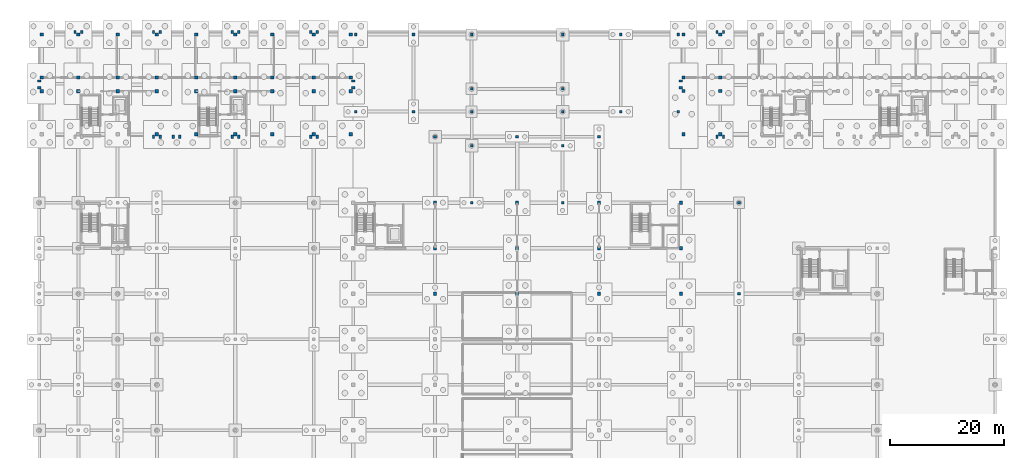
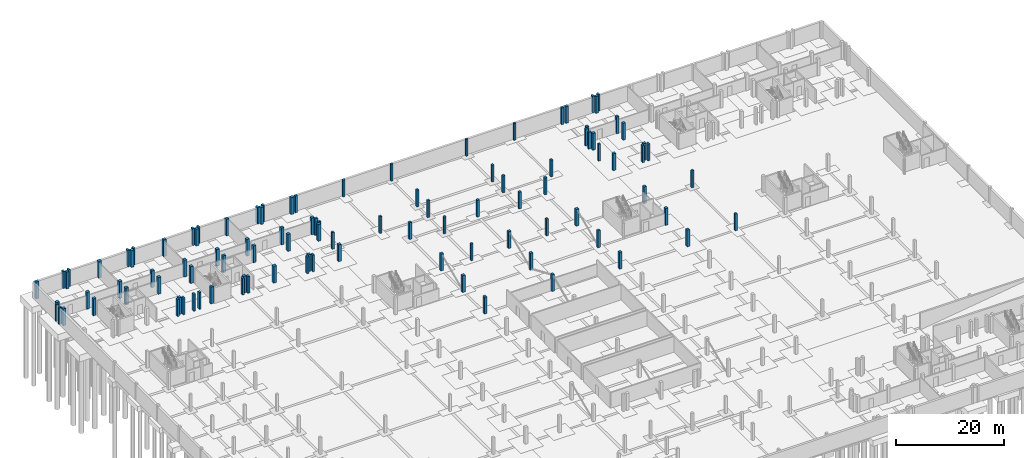
# One storey, part 13 of 38: 102 columns.
"""IFC4 building model written with IfcOpenShell, lengths in metres."""

from ifc_helpers import new_model, si_unit, direction, frame, origin, origin_2d, place, context, subcontext, project, spatial, rectangle, extrude, material, material_profile, profile_set, type_object, element, save


model = new_model("IFC4")

# Units and contexts
model_context = context("Model", 3, precision=1e-05, world=origin(), true_north=direction((0.0, 1.0)))
body_context = subcontext(model_context, "Body", "Model", "MODEL_VIEW")
ifc_project = project(units=[si_unit("LENGTHUNIT", "METRE"), si_unit("AREAUNIT", "SQUARE_METRE"), si_unit("VOLUMEUNIT", "CUBIC_METRE"), si_unit("PLANEANGLEUNIT", "RADIAN"), si_unit("MASSUNIT", "GRAM", prefix="KILO")], contexts=[model_context])

# Site, building, storey
site_placement = place(None, origin())
site = spatial("IfcSite", under=ifc_project, at=site_placement, CompositionType="ELEMENT")
building_placement = place(site_placement, origin())
building = spatial("IfcBuilding", under=site, at=building_placement, Name="Zavelmont Quarter", CompositionType="ELEMENT")
storey_placement = place(building_placement, frame((0.0, 0.0, -3.800048828125)))
storey = spatial("IfcBuildingStorey", under=building, at=storey_placement, Name="B01", CompositionType="ELEMENT", Elevation=-3.800048828125)

# Columns
ifc_material_1 = material(Name="Concrete C40/50", Category="concrete")
ifc_material_profile_1 = material_profile(ifc_material_1, rectangle(XDim=0.60009765625, YDim=0.60009765625, at=origin_2d()), Name="RC600X600")
ifc_profile_set_1 = profile_set([ifc_material_profile_1], Name="Concrete C40/50")
column_type_1 = type_object("IfcColumnType", Name="CL01", PredefinedType="COLUMN", material=ifc_profile_set_1)
for number, where, z_axis, x_axis, name in (
    (1, (0.43994140625, 105.60009765625, 0.0), (0.0, 0.0, 1.0), (1.0, 0.0, 0.0), "B01 column CL01 at 1/Q"),
    (2, (0.43994140625, 108.0, 0.0), (0.0, 0.0, 1.0), (1.0, 0.0, 0.0), "B01 column CL01 at 1/R"),
    (3, (0.43994140625, 115.56005859375, 0.0), (0.0, 0.0, 1.0), (1.0, 0.0, 0.0), "B01 column CL01 at 1/S"),
    (4, (6.89990234375, 105.60009765625, 0.0), (0.0, 0.0, 1.0), (1.0, 0.0, 0.0), "B01 column CL01 at 2/Q"),
    (5, (6.89990234375, 108.0, 0.0), (0.0, 0.0, 1.0), (1.0, 0.0, 0.0), "B01 column CL01 at 2/R"),
    (6, (6.89990234375, 115.56005859375, 0.0), (0.0, 0.0, 1.0), (1.0, 0.0, 0.0), "B01 column CL01 at 2/S"),
    (7, (13.800048828125, 105.60009765625, 0.0), (0.0, 0.0, 1.0), (1.0, 0.0, 0.0), "B01 column CL01 at 3/Q"),
    (8, (13.800048828125, 108.0, 0.0), (0.0, 0.0, 1.0), (1.0, 0.0, 0.0), "B01 column CL01 at 3/R"),
    (9, (13.800048828125, 115.56005859375, 0.0), (0.0, 0.0, 1.0), (1.0, 0.0, 0.0), "B01 column CL01 at 3/S"),
    (10, (20.699951171875, 98.0400390625, 0.0), (0.0, 0.0, 1.0), (1.0, 0.0, 0.0), "B01 column CL01 at 4/P"),
    (11, (20.699951171875, 105.60009765625, 0.0), (0.0, 0.0, 1.0), (1.0, 0.0, 0.0), "B01 column CL01 at 4/Q"),
    (12, (20.699951171875, 108.0, 0.0), (0.0, 0.0, 1.0), (1.0, 0.0, 0.0), "B01 column CL01 at 4/R"),
    (13, (20.699951171875, 115.56005859375, 0.0), (0.0, 0.0, 1.0), (1.0, 0.0, 0.0), "B01 column CL01 at 4/S"),
    (14, (27.60009765625, 98.0400390625, 0.0), (0.0, 0.0, 1.0), (1.0, 0.0, 0.0), "B01 column CL01 at 5/P"),
    (15, (27.60009765625, 105.60009765625, 0.0), (0.0, 0.0, 1.0), (1.0, 0.0, 0.0), "B01 column CL01 at 5/Q"),
    (16, (27.60009765625, 108.0, 0.0), (0.0, 0.0, 1.0), (1.0, 0.0, 0.0), "B01 column CL01 at 5/R"),
    (17, (27.60009765625, 115.56005859375, 0.0), (0.0, 0.0, 1.0), (1.0, 0.0, 0.0), "B01 column CL01 at 5/S"),
    (18, (34.5, 98.0400390625, 0.0), (0.0, 0.0, 1.0), (1.0, 0.0, 0.0), "B01 column CL01 at 6/P"),
    (19, (34.5, 105.60009765625, 0.0), (0.0, 0.0, 1.0), (1.0, 0.0, 0.0), "B01 column CL01 at 6/Q"),
    (20, (34.5, 108.0, 0.0), (0.0, 0.0, 1.0), (1.0, 0.0, 0.0), "B01 column CL01 at 6/R"),
    (21, (34.5, 115.56005859375, 0.0), (0.0, 0.0, 1.0), (1.0, 0.0, 0.0), "B01 column CL01 at 6/S"),
    (22, (40.9599609375, 98.0400390625, 0.0), (0.0, 0.0, 1.0), (1.0, 0.0, 0.0), "B01 column CL01 at 7/P"),
    (23, (40.9599609375, 105.60009765625, 0.0), (0.0, 0.0, 1.0), (1.0, 0.0, 0.0), "B01 column CL01 at 7/Q"),
    (24, (40.9599609375, 108.0, 0.0), (0.0, 0.0, 1.0), (1.0, 0.0, 0.0), "B01 column CL01 at 7/R"),
    (25, (40.9599609375, 115.56005859375, 0.0), (0.0, 0.0, 1.0), (1.0, 0.0, 0.0), "B01 column CL01 at 7/S"),
    (26, (48.300048828125, 98.0400390625, 0.0), (0.0, 0.0, 1.0), (1.0, 0.0, 0.0), "B01 column CL01 at 8/P"),
    (27, (48.300048828125, 105.60009765625, 0.0), (0.0, 0.0, 1.0), (1.0, 0.0, 0.0), "B01 column CL01 at 8/Q"),
    (28, (48.300048828125, 108.0, 0.0), (0.0, 0.0, 1.0), (1.0, 0.0, 0.0), "B01 column CL01 at 8/R"),
    (29, (48.300048828125, 115.56005859375, 0.0), (0.0, 0.0, 1.0), (1.0, 0.0, 0.0), "B01 column CL01 at 8/S"),
    (30, (54.760009765625, 98.0400390625, 0.0), (0.0, 0.0, 1.0), (1.0, 0.0, 0.0), "B01 column CL01 at 9/P"),
    (31, (54.760009765625, 105.60009765625, 0.0), (0.0, 0.0, 1.0), (1.0, 0.0, 0.0), "B01 column CL01 at 9/Q"),
    (32, (54.760009765625, 108.0, 0.0), (0.0, 0.0, 1.0), (1.0, 0.0, 0.0), "B01 column CL01 at 9/R"),
    (33, (54.760009765625, 115.56005859375, 0.0), (0.0, 0.0, 1.0), (1.0, 0.0, 0.0), "B01 column CL01 at 9/S"),
):
    element("IfcColumn", number, at=place(storey_placement, frame(where, z_axis=z_axis, x_axis=x_axis)), inside=storey, type_object=column_type_1, Name=name, PredefinedType="COLUMN", context=body_context, shape_type="SweptSolid", body=[
        extrude(rectangle(XDim=0.60009765625, YDim=0.60009765625, at=origin_2d()), origin(), (0.0, 0.0, 1.0), 3.800048828125),
    ])
ifc_material_profile_2 = material_profile(ifc_material_1, rectangle(XDim=0.550048828125, YDim=0.550048828125, at=origin_2d()), Name="RC550X550")
ifc_profile_set_2 = profile_set([ifc_material_profile_2], Name="Concrete C40/50")
column_type_2 = type_object("IfcColumnType", Name="CL02", PredefinedType="COLUMN", material=ifc_profile_set_2)
for number, where, z_axis, x_axis, name in (
    (34, (113.239990234375, 98.0400390625, 0.0), (0.0, 0.0, 1.0), (1.0, 0.0, 0.0), "B01 column CL02 at 17/P"),
    (35, (113.239990234375, 105.60009765625, 0.0), (0.0, 0.0, 1.0), (1.0, 0.0, 0.0), "B01 column CL02 at 17/Q"),
    (36, (113.239990234375, 108.0, 0.0), (0.0, 0.0, 1.0), (1.0, 0.0, 0.0), "B01 column CL02 at 17/R"),
    (37, (113.239990234375, 115.56005859375, 0.0), (0.0, 0.0, 1.0), (1.0, 0.0, 0.0), "B01 column CL02 at 17/S"),
    (38, (119.699951171875, 98.0400390625, 0.0), (0.0, 0.0, 1.0), (1.0, 0.0, 0.0), "B01 column CL02 at 18/P"),
    (39, (119.699951171875, 105.60009765625, 0.0), (0.0, 0.0, 1.0), (1.0, 0.0, 0.0), "B01 column CL02 at 18/Q"),
    (40, (119.699951171875, 108.0, 0.0), (0.0, 0.0, 1.0), (1.0, 0.0, 0.0), "B01 column CL02 at 18/R"),
    (41, (119.699951171875, 115.56005859375, 0.0), (0.0, 0.0, 1.0), (1.0, 0.0, 0.0), "B01 column CL02 at 18/S"),
    (42, (69.60009765625, 70.0, 0.0), (0.0, 0.0, 1.0), (1.0, 0.0, 0.0), "B01 column CL02 at 11/L"),
    (43, (69.60009765625, 78.0, 0.0), (0.0, 0.0, 1.0), (1.0, 0.0, 0.0), "B01 column CL02 at 11/M"),
    (44, (69.60009765625, 86.0, 0.0), (0.0, 0.0, 1.0), (1.0, 0.0, 0.0), "B01 column CL02 at 11/N"),
    (45, (84.0, 70.0, 0.0), (0.0, 0.0, 1.0), (1.0, 0.0, 0.0), "B01 column CL02 at 13/L"),
    (46, (84.0, 78.0, 0.0), (0.0, 0.0, 1.0), (1.0, 0.0, 0.0), "B01 column CL02 at 13/M"),
    (47, (84.0, 86.0, 0.0), (0.0, 0.0, 1.0), (1.0, 0.0, 0.0), "B01 column CL02 at 13/N"),
    (48, (98.39990234375, 70.0, 0.0), (0.0, 0.0, 1.0), (1.0, 0.0, 0.0), "B01 column CL02 at 15/L"),
    (49, (98.39990234375, 78.0, 0.0), (0.0, 0.0, 1.0), (1.0, 0.0, 0.0), "B01 column CL02 at 15/M"),
    (50, (98.39990234375, 86.0, 0.0), (0.0, 0.0, 1.0), (1.0, 0.0, 0.0), "B01 column CL02 at 15/N"),
    (51, (112.800048828125, 70.0, 0.0), (0.0, 0.0, 1.0), (1.0, 0.0, 0.0), "B01 column CL02 at 17/L"),
    (52, (112.800048828125, 78.0, 0.0), (0.0, 0.0, 1.0), (1.0, 0.0, 0.0), "B01 column CL02 at 17/M"),
    (53, (112.800048828125, 86.0, 0.0), (0.0, 0.0, 1.0), (1.0, 0.0, 0.0), "B01 column CL02 at 17/N"),
):
    element("IfcColumn", number, at=place(storey_placement, frame(where, z_axis=z_axis, x_axis=x_axis)), inside=storey, type_object=column_type_2, Name=name, PredefinedType="COLUMN", context=body_context, shape_type="SweptSolid", body=[
        extrude(rectangle(XDim=0.550048828125, YDim=0.550048828125, at=origin_2d()), origin(), (0.0, 0.0, 1.0), 3.800048828125),
    ])
ifc_material_profile_3 = material_profile(ifc_material_1, rectangle(XDim=0.5, YDim=0.5, at=origin_2d()), Name="RC500X500")
ifc_profile_set_3 = profile_set([ifc_material_profile_3], Name="Concrete C40/50")
column_type_3 = type_object("IfcColumnType", Name="CL03", PredefinedType="COLUMN", material=ifc_profile_set_3)
for number, where, z_axis, x_axis, name in (
    (54, (69.60009765625, 97.60009765625, 0.0), (0.0, 0.0, 1.0), (1.0, 0.0, 0.0), "B01 column CL03 at 11/P"),
    (55, (84.0, 97.60009765625, 0.0), (0.0, 0.0, 1.0), (1.0, 0.0, 0.0), "B01 column CL03 at 13/P"),
    (56, (98.39990234375, 97.60009765625, 0.0), (0.0, 0.0, 1.0), (1.0, 0.0, 0.0), "B01 column CL03 at 15/P"),
):
    element("IfcColumn", number, at=place(storey_placement, frame(where, z_axis=z_axis, x_axis=x_axis)), inside=storey, type_object=column_type_3, Name=name, PredefinedType="COLUMN", context=body_context, shape_type="SweptSolid", body=[
        extrude(rectangle(XDim=0.5, YDim=0.5, at=origin_2d()), origin(), (0.0, 0.0, 1.0), 3.800048828125),
    ])
ifc_material_2 = material(Name="Concrete C35/45", Category="concrete")
ifc_material_profile_4 = material_profile(ifc_material_2, rectangle(XDim=0.449951171875, YDim=0.449951171875, at=origin_2d()), Name="RC450X450")
ifc_profile_set_4 = profile_set([ifc_material_profile_4], Name="Concrete C35/45")
column_type_4 = type_object("IfcColumnType", Name="CL04", PredefinedType="COLUMN", material=ifc_profile_set_4)
for number, where, z_axis, x_axis, name in (
    (57, (123.0, 70.0, 0.0), (0.0, 0.0, 1.0), (1.0, 0.0, 0.0), "B01 column CL04 at 18/L"),
    (58, (123.0, 86.0, 0.0), (0.0, 0.0, 1.0), (1.0, 0.0, 0.0), "B01 column CL04 at 18/N"),
    (59, (55.639892578125, 102.0, 0.0), (0.0, 0.0, 1.0), (1.0, 0.0, 0.0), "B01 column CL04 at 9/Q"),
    (60, (55.639892578125, 115.56005859375, 0.0), (0.0, 0.0, 1.0), (1.0, 0.0, 0.0), "B01 column CL04 at 9/S"),
    (61, (65.800048828125, 102.0, 0.0), (0.0, 0.0, 1.0), (1.0, 0.0, 0.0), "B01 column CL04 at 10/Q"),
    (62, (65.800048828125, 115.56005859375, 0.0), (0.0, 0.0, 1.0), (1.0, 0.0, 0.0), "B01 column CL04 at 10/S"),
    (63, (76.0, 102.0, 0.0), (0.0, 0.0, 1.0), (1.0, 0.0, 0.0), "B01 column CL04 at 12/Q"),
    (64, (76.0, 115.56005859375, 0.0), (0.0, 0.0, 1.0), (1.0, 0.0, 0.0), "B01 column CL04 at 12/S"),
    (65, (92.0, 102.0, 0.0), (0.0, 0.0, 1.0), (1.0, 0.0, 0.0), "B01 column CL04 at 14/Q"),
    (66, (92.0, 115.56005859375, 0.0), (0.0, 0.0, 1.0), (1.0, 0.0, 0.0), "B01 column CL04 at 14/S"),
    (67, (102.199951171875, 102.0, 0.0), (0.0, 0.0, 1.0), (1.0, 0.0, 0.0), "B01 column CL04 at 16/Q"),
    (68, (102.199951171875, 115.56005859375, 0.0), (0.0, 0.0, 1.0), (1.0, 0.0, 0.0), "B01 column CL04 at 16/S"),
    (69, (112.360107421875, 102.0, 0.0), (0.0, 0.0, 1.0), (1.0, 0.0, 0.0), "B01 column CL04 at 17/Q"),
    (70, (112.360107421875, 115.56005859375, 0.0), (0.0, 0.0, 1.0), (1.0, 0.0, 0.0), "B01 column CL04 at 17/S"),
    (71, (76.0, 86.0, 0.0), (0.0, 0.0, 1.0), (1.0, 0.0, 0.0), "B01 column CL04 at 12/N"),
    (72, (92.0, 86.0, 0.0), (0.0, 0.0, 1.0), (1.0, 0.0, 0.0), "B01 column CL04 at 14/N"),
    (73, (76.0, 96.0, 0.0), (0.0, 0.0, 1.0), (1.0, 0.0, 0.0), "B01 column CL04 at 12/P"),
    (74, (92.0, 96.0, 0.0), (0.0, 0.0, 1.0), (1.0, 0.0, 0.0), "B01 column CL04 at 14/P"),
    (75, (76.0, 106.0, 0.0), (0.0, 0.0, 1.0), (1.0, 0.0, 0.0), "B01 column CL04 at 12/Q"),
    (76, (92.0, 106.0, 0.0), (0.0, 0.0, 1.0), (1.0, 0.0, 0.0), "B01 column CL04 at 14/Q"),
):
    element("IfcColumn", number, at=place(storey_placement, frame(where, z_axis=z_axis, x_axis=x_axis)), inside=storey, type_object=column_type_4, Name=name, PredefinedType="COLUMN", context=body_context, shape_type="SweptSolid", body=[
        extrude(rectangle(XDim=0.449951171875, YDim=0.449951171875, at=origin_2d()), origin(), (0.0, 0.0, 1.0), 3.800048828125),
    ])
ifc_material_profile_5 = material_profile(ifc_material_1, rectangle(XDim=0.39990234375, YDim=0.60009765625, at=origin_2d()), Name="RC400X600")
ifc_profile_set_5 = profile_set([ifc_material_profile_5], Name="Concrete C40/50")
column_type_5 = type_object("IfcColumnType", Name="PL01", PredefinedType="PILASTER", material=ifc_profile_set_5)
for number, where, z_axis, x_axis, name in (
    (77, (6.320068359375, 116.0, 0.0), (0.0, 0.0, 1.0), (1.0, 0.0, 0.0), "B01 column PL01 at 2/S"),
    (78, (7.47998046875, 116.0, 0.0), (0.0, 0.0, 1.0), (1.0, 0.0, 0.0), "B01 column PL01 at 2/S"),
    (79, (20.1201171875, 116.0, 0.0), (0.0, 0.0, 1.0), (1.0, 0.0, 0.0), "B01 column PL01 at 4/S"),
    (80, (20.1201171875, 97.60009765625, 0.0), (0.0, 0.0, 1.0), (1.0, 0.0, 0.0), "B01 column PL01 at 4/P"),
    (81, (21.280029296875, 116.0, 0.0), (0.0, 0.0, 1.0), (1.0, 0.0, 0.0), "B01 column PL01 at 4/S"),
    (82, (21.280029296875, 97.60009765625, 0.0), (0.0, 0.0, 1.0), (1.0, 0.0, 0.0), "B01 column PL01 at 4/P"),
    (83, (33.919921875, 116.0, 0.0), (0.0, 0.0, 1.0), (1.0, 0.0, 0.0), "B01 column PL01 at 6/S"),
    (84, (33.919921875, 97.60009765625, 0.0), (0.0, 0.0, 1.0), (1.0, 0.0, 0.0), "B01 column PL01 at 6/P"),
    (85, (35.080078125, 116.0, 0.0), (0.0, 0.0, 1.0), (1.0, 0.0, 0.0), "B01 column PL01 at 6/S"),
    (86, (35.080078125, 97.60009765625, 0.0), (0.0, 0.0, 1.0), (1.0, 0.0, 0.0), "B01 column PL01 at 6/P"),
    (87, (47.719970703125, 116.0, 0.0), (0.0, 0.0, 1.0), (1.0, 0.0, 0.0), "B01 column PL01 at 8/S"),
    (88, (47.719970703125, 97.60009765625, 0.0), (0.0, 0.0, 1.0), (1.0, 0.0, 0.0), "B01 column PL01 at 8/P"),
    (89, (48.8798828125, 116.0, 0.0), (0.0, 0.0, 1.0), (1.0, 0.0, 0.0), "B01 column PL01 at 8/S"),
    (90, (48.8798828125, 97.60009765625, 0.0), (0.0, 0.0, 1.0), (1.0, 0.0, 0.0), "B01 column PL01 at 8/P"),
    (91, (23.570068359375, 97.60009765625, 0.0), (0.0, 0.0, 1.0), (1.0, 0.0, 0.0), "B01 column PL01 at 4/P"),
    (92, (24.72998046875, 97.60009765625, 0.0), (0.0, 0.0, 1.0), (1.0, 0.0, 0.0), "B01 column PL01 at 5/P"),
    (93, (0.0, 106.219970703125, 0.0), (0.0, 0.0, 1.0), (0.0, 1.0, 0.0), "B01 column PL01 at 1/Q"),
    (94, (0.0, 107.3798828125, 0.0), (0.0, 0.0, 1.0), (0.0, 1.0, 0.0), "B01 column PL01 at 1/R"),
    (95, (55.199951171875, 106.219970703125, 0.0), (0.0, 0.0, 1.0), (0.0, 1.0, 0.0), "B01 column PL01 at 9/Q"),
    (96, (55.199951171875, 107.3798828125, 0.0), (0.0, 0.0, 1.0), (0.0, 1.0, 0.0), "B01 column PL01 at 9/R"),
    (97, (119.1201171875, 116.0, 0.0), (0.0, 0.0, 1.0), (1.0, 0.0, 0.0), "B01 column PL01 at 18/S"),
    (98, (119.1201171875, 97.60009765625, 0.0), (0.0, 0.0, 1.0), (1.0, 0.0, 0.0), "B01 column PL01 at 18/P"),
    (99, (120.280029296875, 116.0, 0.0), (0.0, 0.0, 1.0), (1.0, 0.0, 0.0), "B01 column PL01 at 18/S"),
    (100, (120.280029296875, 97.60009765625, 0.0), (0.0, 0.0, 1.0), (1.0, 0.0, 0.0), "B01 column PL01 at 18/P"),
    (101, (112.800048828125, 106.219970703125, 0.0), (0.0, 0.0, 1.0), (0.0, 1.0, 0.0), "B01 column PL01 at 17/Q"),
    (102, (112.800048828125, 107.3798828125, 0.0), (0.0, 0.0, 1.0), (0.0, 1.0, 0.0), "B01 column PL01 at 17/R"),
):
    element("IfcColumn", number, at=place(storey_placement, frame(where, z_axis=z_axis, x_axis=x_axis)), inside=storey, type_object=column_type_5, Name=name, PredefinedType="PILASTER", context=body_context, shape_type="SweptSolid", body=[
        extrude(rectangle(XDim=0.39990234375, YDim=0.60009765625, at=origin_2d()), origin(), (0.0, 0.0, 1.0), 3.800048828125),
    ])

save(model, "model.ifc")
